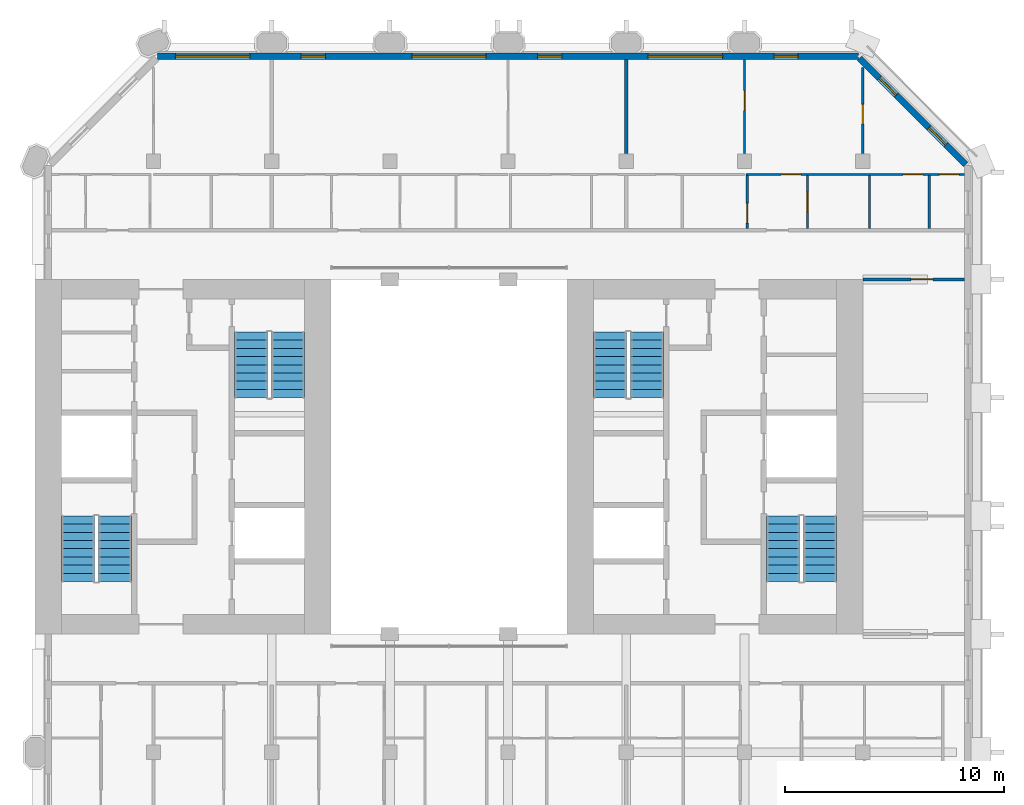
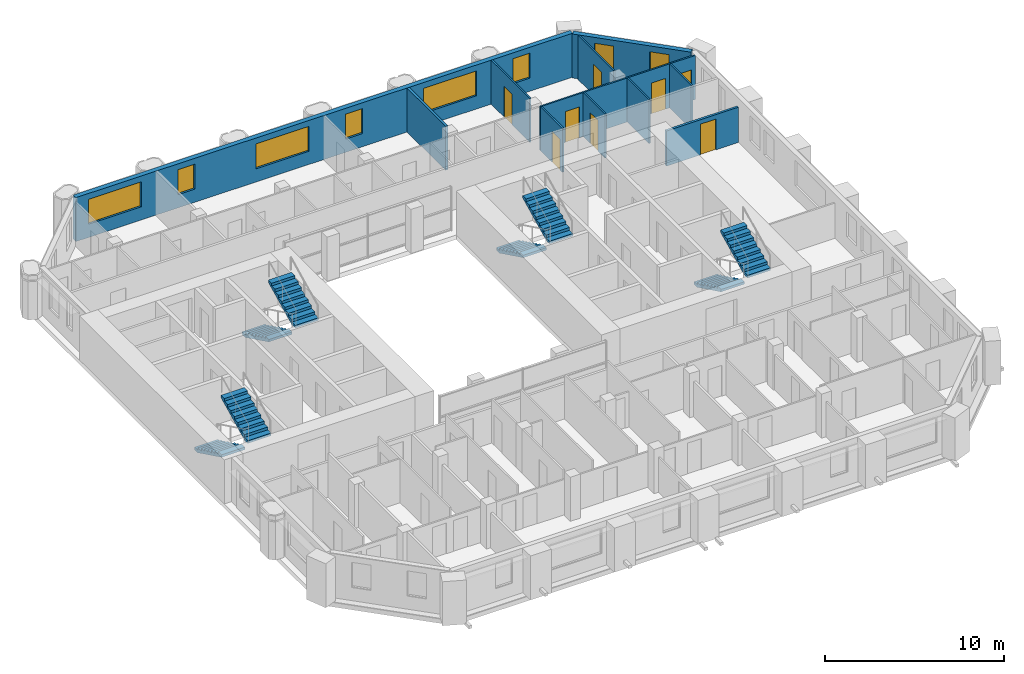
# One storey, part 11 of 14: 11 walls, 8 doors, 8 stair flights, 8 windows, 16 openings, 4 elements without a shape of their own.
"""IFC4 building model written with IfcOpenShell, lengths in metres."""

from ifc_helpers import new_model, si_unit, direction, frame, frame_2d, origin, place, context, subcontext, project, spatial, polyline, rectangle, outline, extrude, material, layer, layer_set, type_object, element, fill, aggregate, save


model = new_model("IFC4")

# Units and contexts
model_context = context("Model", 3, precision=1e-05, world=origin(), true_north=direction((0.0, 1.0)))
body_context = subcontext(model_context, "Body", "Model", "MODEL_VIEW")
ifc_project = project(units=[si_unit("LENGTHUNIT", "METRE"), si_unit("AREAUNIT", "SQUARE_METRE"), si_unit("VOLUMEUNIT", "CUBIC_METRE"), si_unit("PLANEANGLEUNIT", "RADIAN"), si_unit("MASSUNIT", "GRAM", prefix="KILO")], contexts=[model_context])

# Site, building, storey
site_placement = place(None, origin())
site = spatial("IfcSite", under=ifc_project, at=site_placement, CompositionType="ELEMENT")
building_placement = place(site_placement, origin())
building = spatial("IfcBuilding", under=site, at=building_placement, Name="Tabaq Tower and Sports Hall", CompositionType="ELEMENT")
storey_placement = place(building_placement, frame((0.0, 0.0, 281.800048828125)))
storey = spatial("IfcBuildingStorey", under=building, at=storey_placement, Name="L69", CompositionType="ELEMENT", Elevation=281.800048828125)

# Wall, opening, door
ifc_material_1 = material(Name="Gypsum board on steel studs", Category="steel")
ifc_layer_1 = layer(ifc_material_1, 0.10009765625)
ifc_layer_set_1 = layer_set([ifc_layer_1], Name="Partition 100 Gypsum board")
wall_type_1 = type_object("IfcWallType", Name="Partition 100 Gypsum board", PredefinedType="PARTITIONING", material=ifc_layer_set_1)
wall_1_placement = place(storey_placement, frame((37.800048828125, 38.14501953125, 0.0), z_axis=(0.0, 0.0, 1.0), x_axis=(0.0, 1.0, 0.0)))
wall_1 = element("IfcWall", 1, at=wall_1_placement, inside=storey, type_object=wall_type_1, Name="Partition wall L69", PredefinedType="PARTITIONING", context=body_context, shape_type="SweptSolid", body=[
    extrude(rectangle(XDim=4.303955078125, YDim=0.10009765625, at=frame_2d((2.15185546875, 0.0))), origin(), (0.0, 0.0, 1.0), 3.0),
])
opening_1_placement = place(wall_1_placement, frame((1.97998046875, 0.0, 0.0)))
opening_1 = element("IfcOpeningElement", 2, at=opening_1_placement, cuts=wall_1, Name="Opening L69-033", PredefinedType="OPENING", context=body_context, shape_type="SweptSolid", body=[
    extrude(rectangle(XDim=0.89990234375, YDim=2.10009765625, at=frame_2d((0.449951171875, 1.050048828125))), frame((0.0, 0.050048828125, 0.0), z_axis=(0.0, -1.0, 0.0), x_axis=(1.0, 0.0, 0.0)), (0.0, 0.0, 1.0), 0.10009765625),
])
ifc_material_2 = material(Name="Timber leaf in steel frame", Category="steel")
door_type_1 = type_object("IfcDoorType", Name="Internal door 900 right hand", OperationType="SINGLE_SWING_RIGHT", PredefinedType="DOOR", material=ifc_material_2)
door_1_placement = place(opening_1_placement, origin())
door_1 = element("IfcDoor", 3, at=door_1_placement, inside=storey, type_object=door_type_1, Name="Internal door L69-033", OperationType="SINGLE_SWING_RIGHT", OverallHeight=2.10009765625, OverallWidth=0.89990234375, PredefinedType="DOOR", context=body_context, shape_type="SweptSolid", body=[
    extrude(rectangle(XDim=0.89990234375, YDim=2.10009765625, at=frame_2d((0.449951171875, 1.050048828125))), frame((0.0, 0.02490234375, 0.0), z_axis=(0.0, -1.0, 0.0), x_axis=(1.0, 0.0, 0.0)), (0.0, 0.0, 1.0), 0.050048828125),
])
fill(opening_1, door_1)

wall_2_placement = place(storey_placement, frame((43.199951171875, 38.14501953125, 0.0), z_axis=(0.0, 0.0, 1.0), x_axis=(0.0, 1.0, 0.0)))
wall_2 = element("IfcWall", 4, at=wall_2_placement, inside=storey, type_object=wall_type_1, Name="Partition wall L69", PredefinedType="PARTITIONING", context=body_context, shape_type="SweptSolid", body=[
    extrude(rectangle(XDim=3.94287109375, YDim=0.10009765625, at=frame_2d((1.971435546875, 0.0))), origin(), (0.0, 0.0, 1.0), 3.0),
])
opening_2_placement = place(wall_2_placement, frame((1.35498046875, 0.0, 0.0)))
opening_2 = element("IfcOpeningElement", 5, at=opening_2_placement, cuts=wall_2, Name="Opening L69-049", PredefinedType="OPENING", context=body_context, shape_type="SweptSolid", body=[
    extrude(rectangle(XDim=0.89990234375, YDim=2.10009765625, at=frame_2d((0.449951171875, 1.050048828125))), frame((0.0, 0.050048828125, 0.0), z_axis=(0.0, -1.0, 0.0), x_axis=(1.0, 0.0, 0.0)), (0.0, 0.0, 1.0), 0.10009765625),
])
ifc_material_3 = material(Name="Timber leaf in steel frame", Category="steel")
door_type_2 = type_object("IfcDoorType", Name="Internal door 900 left hand", OperationType="SINGLE_SWING_LEFT", PredefinedType="DOOR", material=ifc_material_3)
door_2_placement = place(opening_2_placement, origin())
door_2 = element("IfcDoor", 6, at=door_2_placement, inside=storey, type_object=door_type_2, Name="Internal door L69-049", OperationType="SINGLE_SWING_LEFT", OverallHeight=2.10009765625, OverallWidth=0.89990234375, PredefinedType="DOOR", context=body_context, shape_type="SweptSolid", body=[
    extrude(rectangle(XDim=0.89990234375, YDim=2.10009765625, at=frame_2d((0.449951171875, 1.050048828125))), frame((0.0, 0.02490234375, 0.0), z_axis=(0.0, -1.0, 0.0), x_axis=(1.0, 0.0, 0.0)), (0.0, 0.0, 1.0), 0.050048828125),
])
fill(opening_2, door_2)

# Wall, openings, doors
wall_3_placement = place(storey_placement, frame((37.875, 37.199951171875, 0.0), z_axis=(0.0, 0.0, 1.0), x_axis=(1.0, 0.0, 0.0)))
wall_3 = element("IfcWall", 7, at=wall_3_placement, inside=storey, type_object=wall_type_1, Name="Partition wall L69", PredefinedType="PARTITIONING", context=body_context, shape_type="SweptSolid", body=[
    extrude(rectangle(XDim=9.97412109375, YDim=0.10009765625, at=frame_2d((4.987060546875, 0.0))), origin(), (0.0, 0.0, 1.0), 3.0),
])
opening_3_placement = place(wall_3_placement, frame((7.1650390625, 0.0, 0.0)))
opening_3 = element("IfcOpeningElement", 8, at=opening_3_placement, cuts=wall_3, Name="Opening L69-008", PredefinedType="OPENING", context=body_context, shape_type="SweptSolid", body=[
    extrude(rectangle(XDim=0.89990234375, YDim=2.10009765625, at=frame_2d((0.449951171875, 1.050048828125))), frame((0.0, 0.050048828125, 0.0), z_axis=(0.0, -1.0, 0.0), x_axis=(1.0, 0.0, 0.0)), (0.0, 0.0, 1.0), 0.10009765625),
])
opening_4_placement = place(wall_3_placement, frame((8.823974609375, 0.0, 0.0)))
opening_4 = element("IfcOpeningElement", 9, at=opening_4_placement, cuts=wall_3, Name="Opening L69-009", PredefinedType="OPENING", context=body_context, shape_type="SweptSolid", body=[
    extrude(rectangle(XDim=0.89990234375, YDim=2.10009765625, at=frame_2d((0.449951171875, 1.050048828125))), frame((0.0, 0.050048828125, 0.0), z_axis=(0.0, -1.0, 0.0), x_axis=(1.0, 0.0, 0.0)), (0.0, 0.0, 1.0), 0.10009765625),
])
opening_5_placement = place(wall_3_placement, frame((1.60009765625, 0.0, 0.0)))
opening_5 = element("IfcOpeningElement", 10, at=opening_5_placement, cuts=wall_3, Name="Opening L69-050", PredefinedType="OPENING", context=body_context, shape_type="SweptSolid", body=[
    extrude(rectangle(XDim=0.89990234375, YDim=2.10009765625, at=frame_2d((0.449951171875, 1.050048828125))), frame((0.0, 0.050048828125, 0.0), z_axis=(0.0, -1.0, 0.0), x_axis=(1.0, 0.0, 0.0)), (0.0, 0.0, 1.0), 0.10009765625),
])
door_3_placement = place(opening_4_placement, origin())
door_3 = element("IfcDoor", 11, at=door_3_placement, inside=storey, type_object=door_type_2, Name="Internal door L69-009", OperationType="SINGLE_SWING_LEFT", OverallHeight=2.10009765625, OverallWidth=0.89990234375, PredefinedType="DOOR", context=body_context, shape_type="SweptSolid", body=[
    extrude(rectangle(XDim=0.89990234375, YDim=2.10009765625, at=frame_2d((0.449951171875, 1.050048828125))), frame((0.0, 0.02490234375, 0.0), z_axis=(0.0, -1.0, 0.0), x_axis=(1.0, 0.0, 0.0)), (0.0, 0.0, 1.0), 0.050048828125),
])
fill(opening_4, door_3)
door_4_placement = place(opening_5_placement, origin())
door_4 = element("IfcDoor", 12, at=door_4_placement, inside=storey, type_object=door_type_2, Name="Internal door L69-050", OperationType="SINGLE_SWING_LEFT", OverallHeight=2.10009765625, OverallWidth=0.89990234375, PredefinedType="DOOR", context=body_context, shape_type="SweptSolid", body=[
    extrude(rectangle(XDim=0.89990234375, YDim=2.10009765625, at=frame_2d((0.449951171875, 1.050048828125))), frame((0.0, 0.02490234375, 0.0), z_axis=(0.0, -1.0, 0.0), x_axis=(1.0, 0.0, 0.0)), (0.0, 0.0, 1.0), 0.050048828125),
])
fill(opening_5, door_4)
door_5_placement = place(opening_3_placement, origin())
door_5 = element("IfcDoor", 13, at=door_5_placement, inside=storey, type_object=door_type_1, Name="Internal door L69-008", OperationType="SINGLE_SWING_RIGHT", OverallHeight=2.10009765625, OverallWidth=0.89990234375, PredefinedType="DOOR", context=body_context, shape_type="SweptSolid", body=[
    extrude(rectangle(XDim=0.89990234375, YDim=2.10009765625, at=frame_2d((0.449951171875, 1.050048828125))), frame((0.0, 0.02490234375, 0.0), z_axis=(0.0, -1.0, 0.0), x_axis=(1.0, 0.0, 0.0)), (0.0, 0.0, 1.0), 0.050048828125),
])
fill(opening_3, door_5)

# Wall, opening, door
wall_4_placement = place(storey_placement, frame((37.925048828125, 34.72509765625, 0.0), z_axis=(0.0, 0.0, 1.0), x_axis=(0.0, 1.0, 0.0)))
wall_4 = element("IfcWall", 14, at=wall_4_placement, inside=storey, type_object=wall_type_1, Name="Partition wall L69", PredefinedType="PARTITIONING", context=body_context, shape_type="SweptSolid", body=[
    extrude(rectangle(XDim=2.4248046875, YDim=0.10009765625, at=frame_2d((1.21240234375, 0.0))), origin(), (0.0, 0.0, 1.0), 3.0),
])
opening_6_placement = place(wall_4_placement, frame((0.25, 0.0, 0.0)))
opening_6 = element("IfcOpeningElement", 15, at=opening_6_placement, cuts=wall_4, Name="Opening L69-010", PredefinedType="OPENING", context=body_context, shape_type="SweptSolid", body=[
    extrude(rectangle(XDim=0.89990234375, YDim=2.10009765625, at=frame_2d((0.449951171875, 1.050048828125))), frame((0.0, 0.050048828125, 0.0), z_axis=(0.0, -1.0, 0.0), x_axis=(1.0, 0.0, 0.0)), (0.0, 0.0, 1.0), 0.10009765625),
])
door_6_placement = place(opening_6_placement, origin())
door_6 = element("IfcDoor", 16, at=door_6_placement, inside=storey, type_object=door_type_2, Name="Internal door L69-010", OperationType="SINGLE_SWING_LEFT", OverallHeight=2.10009765625, OverallWidth=0.89990234375, PredefinedType="DOOR", context=body_context, shape_type="SweptSolid", body=[
    extrude(rectangle(XDim=0.89990234375, YDim=2.10009765625, at=frame_2d((0.449951171875, 1.050048828125))), frame((0.0, 0.02490234375, 0.0), z_axis=(0.0, -1.0, 0.0), x_axis=(1.0, 0.0, 0.0)), (0.0, 0.0, 1.0), 0.050048828125),
])
fill(opening_6, door_6)

wall_5_placement = place(storey_placement, frame((40.675048828125, 34.72509765625, 0.0), z_axis=(0.0, 0.0, 1.0), x_axis=(0.0, 1.0, 0.0)))
wall_5 = element("IfcWall", 17, at=wall_5_placement, inside=storey, type_object=wall_type_1, Name="Partition wall L69", PredefinedType="PARTITIONING", context=body_context, shape_type="SweptSolid", body=[
    extrude(rectangle(XDim=2.4248046875, YDim=0.10009765625, at=frame_2d((1.21240234375, 0.0))), origin(), (0.0, 0.0, 1.0), 3.0),
])
opening_7_placement = place(wall_5_placement, frame((0.75, 0.0, 0.0)))
opening_7 = element("IfcOpeningElement", 18, at=opening_7_placement, cuts=wall_5, Name="Opening L69-011", PredefinedType="OPENING", context=body_context, shape_type="SweptSolid", body=[
    extrude(rectangle(XDim=0.89990234375, YDim=2.10009765625, at=frame_2d((0.449951171875, 1.050048828125))), frame((0.0, 0.050048828125, 0.0), z_axis=(0.0, -1.0, 0.0), x_axis=(1.0, 0.0, 0.0)), (0.0, 0.0, 1.0), 0.10009765625),
])
door_7_placement = place(opening_7_placement, origin())
door_7 = element("IfcDoor", 19, at=door_7_placement, inside=storey, type_object=door_type_1, Name="Internal door L69-011", OperationType="SINGLE_SWING_RIGHT", OverallHeight=2.10009765625, OverallWidth=0.89990234375, PredefinedType="DOOR", context=body_context, shape_type="SweptSolid", body=[
    extrude(rectangle(XDim=0.89990234375, YDim=2.10009765625, at=frame_2d((0.449951171875, 1.050048828125))), frame((0.0, 0.02490234375, 0.0), z_axis=(0.0, -1.0, 0.0), x_axis=(1.0, 0.0, 0.0)), (0.0, 0.0, 1.0), 0.050048828125),
])
fill(opening_7, door_7)

# Walls
for number, where, z_axis, x_axis, name in (
    (20, (43.5048828125, 34.72509765625, 0.0), (0.0, 0.0, 1.0), (0.0, 1.0, 0.0), "Partition wall L69"),
    (21, (46.239990234375, 34.72509765625, 0.0), (0.0, 0.0, 1.0), (0.0, 1.0, 0.0), "Partition wall L69"),
):
    element("IfcWall", number, at=place(storey_placement, frame(where, z_axis=z_axis, x_axis=x_axis)), inside=storey, type_object=wall_type_1, Name=name, PredefinedType="PARTITIONING", context=body_context, shape_type="SweptSolid", body=[
        extrude(rectangle(XDim=2.4248046875, YDim=0.10009765625, at=frame_2d((1.21240234375, 0.0))), origin(), (0.0, 0.0, 1.0), 3.0),
    ])
ifc_material_4 = material(Name="Blockwork", Category="masonry")
ifc_layer_2 = layer(ifc_material_4, 0.14990234375)
ifc_layer_set_2 = layer_set([ifc_layer_2], Name="Separating wall 150 Blockwork")
wall_type_2 = type_object("IfcWallType", Name="Separating wall 150 Blockwork", PredefinedType="PARTITIONING", material=ifc_layer_set_2)
wall_6_placement = place(storey_placement, frame((32.39990234375, 38.14501953125, 0.0), z_axis=(0.0, 0.0, 1.0), x_axis=(0.0, 1.0, 0.0)))
element("IfcWall", 22, at=wall_6_placement, inside=storey, type_object=wall_type_2, Name="Separating wall L69", PredefinedType="PARTITIONING", context=body_context, shape_type="SweptSolid", body=[
    extrude(rectangle(XDim=4.303955078125, YDim=0.14990234375, at=frame_2d((2.15185546875, 0.0))), origin(), (0.0, 0.0, 1.0), 3.0),
])

# Wall, opening, door
wall_7_placement = place(storey_placement, frame((47.84912109375, 32.39990234375, 0.0), z_axis=(0.0, 0.0, 1.0), x_axis=(-1.0, 0.0, 0.0)))
wall_7 = element("IfcWall", 23, at=wall_7_placement, inside=storey, type_object=wall_type_2, Name="Separating wall L69", PredefinedType="PARTITIONING", context=body_context, shape_type="SweptSolid", body=[
    extrude(rectangle(XDim=4.649169921875, YDim=0.14990234375, at=frame_2d((2.32470703125, 0.0))), origin(), (0.0, 0.0, 1.0), 2.39990234375),
])
opening_8_placement = place(wall_7_placement, frame((1.448974609375, 0.0, 0.0)))
opening_8 = element("IfcOpeningElement", 24, at=opening_8_placement, cuts=wall_7, Name="Opening L69-012", PredefinedType="OPENING", context=body_context, shape_type="SweptSolid", body=[
    extrude(rectangle(XDim=1.0, YDim=2.10009765625, at=frame_2d((0.5, 1.050048828125))), frame((0.0, 0.074951171875, 0.0), z_axis=(0.0, -1.0, 0.0), x_axis=(1.0, 0.0, 0.0)), (0.0, 0.0, 1.0), 0.14990234375),
])
ifc_material_5 = material(Name="Timber leaf in steel frame", Category="steel")
door_type_3 = type_object("IfcDoorType", Name="Internal door 1000 right hand", OperationType="SINGLE_SWING_RIGHT", PredefinedType="DOOR", material=ifc_material_5)
door_8_placement = place(opening_8_placement, origin())
door_8 = element("IfcDoor", 25, at=door_8_placement, inside=storey, type_object=door_type_3, Name="Internal door L69-012", OperationType="SINGLE_SWING_RIGHT", OverallHeight=2.10009765625, OverallWidth=1.0, PredefinedType="DOOR", context=body_context, shape_type="SweptSolid", body=[
    extrude(rectangle(XDim=1.0, YDim=2.10009765625, at=frame_2d((0.5, 1.050048828125))), frame((0.0, 0.02490234375, 0.0), z_axis=(0.0, -1.0, 0.0), x_axis=(1.0, 0.0, 0.0)), (0.0, 0.0, 1.0), 0.050048828125),
])
fill(opening_8, door_8)

# Wall, openings, windows
ifc_material_6 = material(Name="White precast concrete C60/75", Category="concrete")
ifc_layer_3 = layer(ifc_material_6, 0.300048828125)
ifc_layer_set_3 = layer_set([ifc_layer_3], Name="White precast concrete C60/75 external wall 300")
wall_type_3 = type_object("IfcWallType", Name="White precast concrete C60/75 external wall 300", PredefinedType="SOLIDWALL", material=ifc_layer_set_3)
wall_8_placement = place(storey_placement, frame((47.901123046875, 37.650390625, 0.0), z_axis=(0.0, 0.0, 1.0), x_axis=(-0.707106781187, 0.707106781187, 0.0)))
wall_8 = element("IfcWall", 26, at=wall_8_placement, inside=storey, type_object=wall_type_3, Name="External Wall L69 NE", PredefinedType="SOLIDWALL", context=body_context, shape_type="SweptSolid", body=[
    extrude(rectangle(XDim=6.85986328125, YDim=0.300048828125, at=frame_2d((3.429931640625, 0.0))), origin(), (0.0, 0.0, 1.0), 3.0),
])
opening_9_placement = place(wall_8_placement, frame((1.27978515625, 0.0, 0.89990234375)))
opening_9 = element("IfcOpeningElement", 27, at=opening_9_placement, cuts=wall_8, Name="Opening W1B", PredefinedType="OPENING", context=body_context, shape_type="SweptSolid", body=[
    extrude(rectangle(XDim=1.10009765625, YDim=1.699951171875, at=frame_2d((0.550048828125, 0.85009765625))), frame((0.0, 0.16015625, 0.0), z_axis=(0.0, -1.0, 0.0), x_axis=(1.0, 0.0, 0.0)), (0.0, 0.0, 1.0), 0.320068359375),
])
opening_10_placement = place(wall_8_placement, frame((4.479736328125, 0.0, 0.89990234375)))
opening_10 = element("IfcOpeningElement", 28, at=opening_10_placement, cuts=wall_8, Name="Opening W1B", PredefinedType="OPENING", context=body_context, shape_type="SweptSolid", body=[
    extrude(rectangle(XDim=1.10009765625, YDim=1.699951171875, at=frame_2d((0.550048828125, 0.85009765625))), frame((0.0, 0.16015625, 0.0), z_axis=(0.0, -1.0, 0.0), x_axis=(1.0, 0.0, 0.0)), (0.0, 0.0, 1.0), 0.320068359375),
])
ifc_material_7 = material(Name="Aluminium framed clear glazing", Category="aluminium")
window_type_1 = type_object("IfcWindowType", Name="Window W1B", PartitioningType="SINGLE_PANEL", PredefinedType="WINDOW", material=ifc_material_7)
window_1_placement = place(opening_9_placement, origin())
window_1 = element("IfcWindow", 29, at=window_1_placement, inside=storey, type_object=window_type_1, Name="Window W1B L69", OverallHeight=1.699951171875, OverallWidth=1.10009765625, PartitioningType="SINGLE_PANEL", PredefinedType="WINDOW", context=body_context, shape_type="SweptSolid", body=[
    extrude(rectangle(XDim=1.10009765625, YDim=1.699951171875, at=frame_2d((0.550048828125, 0.85009765625))), frame((0.0, 0.030029296875, 0.0), z_axis=(0.0, -1.0, 0.0), x_axis=(1.0, 0.0, 0.0)), (0.0, 0.0, 1.0), 0.06005859375),
])
fill(opening_9, window_1)
window_2_placement = place(opening_10_placement, origin())
window_2 = element("IfcWindow", 30, at=window_2_placement, inside=storey, type_object=window_type_1, Name="Window W1B L69", OverallHeight=1.699951171875, OverallWidth=1.10009765625, PartitioningType="SINGLE_PANEL", PredefinedType="WINDOW", context=body_context, shape_type="SweptSolid", body=[
    extrude(rectangle(XDim=1.10009765625, YDim=1.699951171875, at=frame_2d((0.550048828125, 0.85009765625))), frame((0.0, 0.030029296875, 0.0), z_axis=(0.0, -1.0, 0.0), x_axis=(1.0, 0.0, 0.0)), (0.0, 0.0, 1.0), 0.06005859375),
])
fill(opening_10, window_2)

wall_9_placement = place(storey_placement, frame((43.013671875, 42.60009765625, 0.0), z_axis=(0.0, 0.0, 1.0), x_axis=(-1.0, 0.0, 0.0)))
wall_9 = element("IfcWall", 31, at=wall_9_placement, inside=storey, type_object=wall_type_3, Name="External Wall L69 N", PredefinedType="SOLIDWALL", context=body_context, shape_type="SweptSolid", body=[
    extrude(rectangle(XDim=32.02734375, YDim=0.300048828125, at=frame_2d((16.013671875, 0.0))), origin(), (0.0, 0.0, 1.0), 3.0),
])
opening_11_placement = place(wall_9_placement, frame((2.763671875, 0.0, 0.89990234375)))
opening_11 = element("IfcOpeningElement", 32, at=opening_11_placement, cuts=wall_9, Name="Opening W1B", PredefinedType="OPENING", context=body_context, shape_type="SweptSolid", body=[
    extrude(rectangle(XDim=1.10009765625, YDim=1.699951171875, at=frame_2d((0.550048828125, 0.85009765625))), frame((0.0, 0.16015625, 0.0), z_axis=(0.0, -1.0, 0.0), x_axis=(1.0, 0.0, 0.0)), (0.0, 0.0, 1.0), 0.320068359375),
])
opening_12_placement = place(wall_9_placement, frame((6.213623046875, 0.0, 0.89990234375)))
opening_12 = element("IfcOpeningElement", 33, at=opening_12_placement, cuts=wall_9, Name="Opening W1A", PredefinedType="OPENING", context=body_context, shape_type="SweptSolid", body=[
    extrude(rectangle(XDim=3.39990234375, YDim=1.699951171875, at=frame_2d((1.699951171875, 0.85009765625))), frame((0.0, 0.16015625, 0.0), z_axis=(0.0, -1.0, 0.0), x_axis=(1.0, 0.0, 0.0)), (0.0, 0.0, 1.0), 0.320068359375),
])
opening_13_placement = place(wall_9_placement, frame((13.563720703125, 0.0, 0.89990234375)))
opening_13 = element("IfcOpeningElement", 34, at=opening_13_placement, cuts=wall_9, Name="Opening W1B", PredefinedType="OPENING", context=body_context, shape_type="SweptSolid", body=[
    extrude(rectangle(XDim=1.10009765625, YDim=1.699951171875, at=frame_2d((0.550048828125, 0.85009765625))), frame((0.0, 0.16015625, 0.0), z_axis=(0.0, -1.0, 0.0), x_axis=(1.0, 0.0, 0.0)), (0.0, 0.0, 1.0), 0.320068359375),
])
opening_14_placement = place(wall_9_placement, frame((17.013671875, 0.0, 0.89990234375)))
opening_14 = element("IfcOpeningElement", 35, at=opening_14_placement, cuts=wall_9, Name="Opening W1A", PredefinedType="OPENING", context=body_context, shape_type="SweptSolid", body=[
    extrude(rectangle(XDim=3.39990234375, YDim=1.699951171875, at=frame_2d((1.699951171875, 0.85009765625))), frame((0.0, 0.16015625, 0.0), z_axis=(0.0, -1.0, 0.0), x_axis=(1.0, 0.0, 0.0)), (0.0, 0.0, 1.0), 0.320068359375),
])
opening_15_placement = place(wall_9_placement, frame((24.363525390625, 0.0, 0.89990234375)))
opening_15 = element("IfcOpeningElement", 36, at=opening_15_placement, cuts=wall_9, Name="Opening W1B", PredefinedType="OPENING", context=body_context, shape_type="SweptSolid", body=[
    extrude(rectangle(XDim=1.10009765625, YDim=1.699951171875, at=frame_2d((0.550048828125, 0.85009765625))), frame((0.0, 0.16015625, 0.0), z_axis=(0.0, -1.0, 0.0), x_axis=(1.0, 0.0, 0.0)), (0.0, 0.0, 1.0), 0.320068359375),
])
opening_16_placement = place(wall_9_placement, frame((27.813720703125, 0.0, 0.89990234375)))
opening_16 = element("IfcOpeningElement", 37, at=opening_16_placement, cuts=wall_9, Name="Opening W1A", PredefinedType="OPENING", context=body_context, shape_type="SweptSolid", body=[
    extrude(rectangle(XDim=3.39990234375, YDim=1.699951171875, at=frame_2d((1.699951171875, 0.85009765625))), frame((0.0, 0.16015625, 0.0), z_axis=(0.0, -1.0, 0.0), x_axis=(1.0, 0.0, 0.0)), (0.0, 0.0, 1.0), 0.320068359375),
])
ifc_material_8 = material(Name="Aluminium framed clear glazing", Category="aluminium")
window_type_2 = type_object("IfcWindowType", Name="Window W1A", PartitioningType="SINGLE_PANEL", PredefinedType="WINDOW", material=ifc_material_8)
window_3_placement = place(opening_12_placement, origin())
window_3 = element("IfcWindow", 38, at=window_3_placement, inside=storey, type_object=window_type_2, Name="Window W1A L69", OverallHeight=1.699951171875, OverallWidth=3.39990234375, PartitioningType="SINGLE_PANEL", PredefinedType="WINDOW", context=body_context, shape_type="SweptSolid", body=[
    extrude(rectangle(XDim=3.39990234375, YDim=1.699951171875, at=frame_2d((1.699951171875, 0.85009765625))), frame((0.0, 0.030029296875, 0.0), z_axis=(0.0, -1.0, 0.0), x_axis=(1.0, 0.0, 0.0)), (0.0, 0.0, 1.0), 0.06005859375),
])
fill(opening_12, window_3)
window_4_placement = place(opening_14_placement, origin())
window_4 = element("IfcWindow", 39, at=window_4_placement, inside=storey, type_object=window_type_2, Name="Window W1A L69", OverallHeight=1.699951171875, OverallWidth=3.39990234375, PartitioningType="SINGLE_PANEL", PredefinedType="WINDOW", context=body_context, shape_type="SweptSolid", body=[
    extrude(rectangle(XDim=3.39990234375, YDim=1.699951171875, at=frame_2d((1.699951171875, 0.85009765625))), frame((0.0, 0.030029296875, 0.0), z_axis=(0.0, -1.0, 0.0), x_axis=(1.0, 0.0, 0.0)), (0.0, 0.0, 1.0), 0.06005859375),
])
fill(opening_14, window_4)
window_5_placement = place(opening_16_placement, origin())
window_5 = element("IfcWindow", 40, at=window_5_placement, inside=storey, type_object=window_type_2, Name="Window W1A L69", OverallHeight=1.699951171875, OverallWidth=3.39990234375, PartitioningType="SINGLE_PANEL", PredefinedType="WINDOW", context=body_context, shape_type="SweptSolid", body=[
    extrude(rectangle(XDim=3.39990234375, YDim=1.699951171875, at=frame_2d((1.699951171875, 0.85009765625))), frame((0.0, 0.030029296875, 0.0), z_axis=(0.0, -1.0, 0.0), x_axis=(1.0, 0.0, 0.0)), (0.0, 0.0, 1.0), 0.06005859375),
])
fill(opening_16, window_5)
window_6_placement = place(opening_11_placement, origin())
window_6 = element("IfcWindow", 41, at=window_6_placement, inside=storey, type_object=window_type_1, Name="Window W1B L69", OverallHeight=1.699951171875, OverallWidth=1.10009765625, PartitioningType="SINGLE_PANEL", PredefinedType="WINDOW", context=body_context, shape_type="SweptSolid", body=[
    extrude(rectangle(XDim=1.10009765625, YDim=1.699951171875, at=frame_2d((0.550048828125, 0.85009765625))), frame((0.0, 0.030029296875, 0.0), z_axis=(0.0, -1.0, 0.0), x_axis=(1.0, 0.0, 0.0)), (0.0, 0.0, 1.0), 0.06005859375),
])
fill(opening_11, window_6)
window_7_placement = place(opening_13_placement, origin())
window_7 = element("IfcWindow", 42, at=window_7_placement, inside=storey, type_object=window_type_1, Name="Window W1B L69", OverallHeight=1.699951171875, OverallWidth=1.10009765625, PartitioningType="SINGLE_PANEL", PredefinedType="WINDOW", context=body_context, shape_type="SweptSolid", body=[
    extrude(rectangle(XDim=1.10009765625, YDim=1.699951171875, at=frame_2d((0.550048828125, 0.85009765625))), frame((0.0, 0.030029296875, 0.0), z_axis=(0.0, -1.0, 0.0), x_axis=(1.0, 0.0, 0.0)), (0.0, 0.0, 1.0), 0.06005859375),
])
fill(opening_13, window_7)
window_8_placement = place(opening_15_placement, origin())
window_8 = element("IfcWindow", 43, at=window_8_placement, inside=storey, type_object=window_type_1, Name="Window W1B L69", OverallHeight=1.699951171875, OverallWidth=1.10009765625, PartitioningType="SINGLE_PANEL", PredefinedType="WINDOW", context=body_context, shape_type="SweptSolid", body=[
    extrude(rectangle(XDim=1.10009765625, YDim=1.699951171875, at=frame_2d((0.550048828125, 0.85009765625))), frame((0.0, 0.030029296875, 0.0), z_axis=(0.0, -1.0, 0.0), x_axis=(1.0, 0.0, 0.0)), (0.0, 0.0, 1.0), 0.06005859375),
])
fill(opening_15, window_8)

# Stair, stair flights
ifc_material_9 = material(Name="Concrete C40/50", Category="concrete")
stair_type = type_object("IfcStairType", Name="Exit stair", PredefinedType="HALF_TURN_STAIR", material=ifc_material_9)
stair_1_placement = place(storey_placement, origin())
stair_1 = element("IfcStair", 44, at=stair_1_placement, inside=storey, type_object=stair_type, Name="L69 Exit stair ST1", PredefinedType="HALF_TURN_STAIR")
ifc_material_10 = material(Name="Concrete C40/50", Category="concrete")
stair_flight_type = type_object("IfcStairFlightType", Name="Exit stair flight", PredefinedType="STRAIGHT", material=ifc_material_10)
stair_flight_1_placement = place(storey_placement, frame((7.35009765625, 21.60009765625, 0.0), z_axis=(0.0, 0.0, 1.0), x_axis=(0.0, -1.0, 0.0)))
stair_flight_1 = element("IfcStairFlight", 45, at=stair_flight_1_placement, type_object=stair_flight_type, Name="ST1 flight 1", NumberOfRisers=9, NumberOfTreads=8, PredefinedType="STRAIGHT", RiserHeight=0.183333333, TreadLength=0.375, context=body_context, shape_type="SweptSolid", body=[
    extrude(outline(polyline([(0.0, 0.0), (0.0, 0.183349609375), (0.375, 0.183349609375), (0.375, 0.36669921875), (0.75, 0.36669921875), (0.75, 0.550048828125), (1.125, 0.550048828125), (1.125, 0.7333984375), (1.5, 0.7333984375), (1.5, 0.916748046875), (1.875, 0.916748046875), (1.875, 1.10009765625), (2.25, 1.10009765625), (2.25, 1.283447265625), (2.625, 1.283447265625), (2.625, 1.466552734375), (3.0, 1.466552734375), (3.0, 1.64990234375), (3.0, 1.2998046875), (0.34130859375, 0.0), (0.0, 0.0)])), frame((0.0, 0.75, 0.0), z_axis=(0.0, -1.0, 0.0), x_axis=(1.0, 0.0, 0.0)), (0.0, 0.0, 1.0), 1.5),
])
stair_flight_2_placement = place(storey_placement, frame((9.050048828125, 18.60009765625, 1.64990234375), z_axis=(0.0, 0.0, 1.0), x_axis=(0.0, 1.0, 0.0)))
stair_flight_2 = element("IfcStairFlight", 46, at=stair_flight_2_placement, type_object=stair_flight_type, Name="ST1 flight 2", NumberOfRisers=9, NumberOfTreads=8, PredefinedType="STRAIGHT", RiserHeight=0.183333333, TreadLength=0.375, context=body_context, shape_type="SweptSolid", body=[
    extrude(outline(polyline([(0.0, 0.0), (0.0, 0.183349609375), (0.375, 0.183349609375), (0.375, 0.36669921875), (0.75, 0.36669921875), (0.75, 0.550048828125), (1.125, 0.550048828125), (1.125, 0.7333984375), (1.5, 0.7333984375), (1.5, 0.916748046875), (1.875, 0.916748046875), (1.875, 1.10009765625), (2.25, 1.10009765625), (2.25, 1.283447265625), (2.625, 1.283447265625), (2.625, 1.466552734375), (3.0, 1.466552734375), (3.0, 1.64990234375), (3.0, 1.2998046875), (0.34130859375, 0.0), (0.0, 0.0)])), frame((0.0, 0.75, 0.0), z_axis=(0.0, -1.0, 0.0), x_axis=(1.0, 0.0, 0.0)), (0.0, 0.0, 1.0), 1.5),
])
aggregate(stair_1, [stair_flight_1, stair_flight_2])

stair_2_placement = place(storey_placement, origin())
stair_2 = element("IfcStair", 47, at=stair_2_placement, inside=storey, type_object=stair_type, Name="L69 Exit stair ST2", PredefinedType="HALF_TURN_STAIR")
stair_flight_3_placement = place(storey_placement, frame((15.25, 30.0, 0.0), z_axis=(0.0, 0.0, 1.0), x_axis=(0.0, -1.0, 0.0)))
stair_flight_3 = element("IfcStairFlight", 48, at=stair_flight_3_placement, type_object=stair_flight_type, Name="ST2 flight 1", NumberOfRisers=9, NumberOfTreads=8, PredefinedType="STRAIGHT", RiserHeight=0.183333333, TreadLength=0.375, context=body_context, shape_type="SweptSolid", body=[
    extrude(outline(polyline([(0.0, 0.0), (0.0, 0.183349609375), (0.375, 0.183349609375), (0.375, 0.36669921875), (0.75, 0.36669921875), (0.75, 0.550048828125), (1.125, 0.550048828125), (1.125, 0.7333984375), (1.5, 0.7333984375), (1.5, 0.916748046875), (1.875, 0.916748046875), (1.875, 1.10009765625), (2.25, 1.10009765625), (2.25, 1.283447265625), (2.625, 1.283447265625), (2.625, 1.466552734375), (3.0, 1.466552734375), (3.0, 1.64990234375), (3.0, 1.2998046875), (0.34130859375, 0.0), (0.0, 0.0)])), frame((0.0, 0.75, 0.0), z_axis=(0.0, -1.0, 0.0), x_axis=(1.0, 0.0, 0.0)), (0.0, 0.0, 1.0), 1.5),
])
stair_flight_4_placement = place(storey_placement, frame((16.949951171875, 27.0, 1.64990234375), z_axis=(0.0, 0.0, 1.0), x_axis=(0.0, 1.0, 0.0)))
stair_flight_4 = element("IfcStairFlight", 49, at=stair_flight_4_placement, type_object=stair_flight_type, Name="ST2 flight 2", NumberOfRisers=9, NumberOfTreads=8, PredefinedType="STRAIGHT", RiserHeight=0.183333333, TreadLength=0.375, context=body_context, shape_type="SweptSolid", body=[
    extrude(outline(polyline([(0.0, 0.0), (0.0, 0.183349609375), (0.375, 0.183349609375), (0.375, 0.36669921875), (0.75, 0.36669921875), (0.75, 0.550048828125), (1.125, 0.550048828125), (1.125, 0.7333984375), (1.5, 0.7333984375), (1.5, 0.916748046875), (1.875, 0.916748046875), (1.875, 1.10009765625), (2.25, 1.10009765625), (2.25, 1.283447265625), (2.625, 1.283447265625), (2.625, 1.466552734375), (3.0, 1.466552734375), (3.0, 1.64990234375), (3.0, 1.2998046875), (0.34130859375, 0.0), (0.0, 0.0)])), frame((0.0, 0.75, 0.0), z_axis=(0.0, -1.0, 0.0), x_axis=(1.0, 0.0, 0.0)), (0.0, 0.0, 1.0), 1.5),
])
aggregate(stair_2, [stair_flight_3, stair_flight_4])

stair_3_placement = place(storey_placement, origin())
stair_3 = element("IfcStair", 50, at=stair_3_placement, inside=storey, type_object=stair_type, Name="L69 Exit stair ST3", PredefinedType="HALF_TURN_STAIR")
stair_flight_5_placement = place(storey_placement, frame((39.550048828125, 21.60009765625, 0.0), z_axis=(0.0, 0.0, 1.0), x_axis=(0.0, -1.0, 0.0)))
stair_flight_5 = element("IfcStairFlight", 51, at=stair_flight_5_placement, type_object=stair_flight_type, Name="ST3 flight 1", NumberOfRisers=9, NumberOfTreads=8, PredefinedType="STRAIGHT", RiserHeight=0.183333333, TreadLength=0.375, context=body_context, shape_type="SweptSolid", body=[
    extrude(outline(polyline([(0.0, 0.0), (0.0, 0.183349609375), (0.375, 0.183349609375), (0.375, 0.36669921875), (0.75, 0.36669921875), (0.75, 0.550048828125), (1.125, 0.550048828125), (1.125, 0.7333984375), (1.5, 0.7333984375), (1.5, 0.916748046875), (1.875, 0.916748046875), (1.875, 1.10009765625), (2.25, 1.10009765625), (2.25, 1.283447265625), (2.625, 1.283447265625), (2.625, 1.466552734375), (3.0, 1.466552734375), (3.0, 1.64990234375), (3.0, 1.2998046875), (0.34130859375, 0.0), (0.0, 0.0)])), frame((0.0, 0.75, 0.0), z_axis=(0.0, -1.0, 0.0), x_axis=(1.0, 0.0, 0.0)), (0.0, 0.0, 1.0), 1.5),
])
stair_flight_6_placement = place(storey_placement, frame((41.25, 18.60009765625, 1.64990234375), z_axis=(0.0, 0.0, 1.0), x_axis=(0.0, 1.0, 0.0)))
stair_flight_6 = element("IfcStairFlight", 52, at=stair_flight_6_placement, type_object=stair_flight_type, Name="ST3 flight 2", NumberOfRisers=9, NumberOfTreads=8, PredefinedType="STRAIGHT", RiserHeight=0.183333333, TreadLength=0.375, context=body_context, shape_type="SweptSolid", body=[
    extrude(outline(polyline([(0.0, 0.0), (0.0, 0.183349609375), (0.375, 0.183349609375), (0.375, 0.36669921875), (0.75, 0.36669921875), (0.75, 0.550048828125), (1.125, 0.550048828125), (1.125, 0.7333984375), (1.5, 0.7333984375), (1.5, 0.916748046875), (1.875, 0.916748046875), (1.875, 1.10009765625), (2.25, 1.10009765625), (2.25, 1.283447265625), (2.625, 1.283447265625), (2.625, 1.466552734375), (3.0, 1.466552734375), (3.0, 1.64990234375), (3.0, 1.2998046875), (0.34130859375, 0.0), (0.0, 0.0)])), frame((0.0, 0.75, 0.0), z_axis=(0.0, -1.0, 0.0), x_axis=(1.0, 0.0, 0.0)), (0.0, 0.0, 1.0), 1.5),
])
aggregate(stair_3, [stair_flight_5, stair_flight_6])

stair_4_placement = place(storey_placement, origin())
stair_4 = element("IfcStair", 53, at=stair_4_placement, inside=storey, type_object=stair_type, Name="L69 Exit stair ST4", PredefinedType="HALF_TURN_STAIR")
stair_flight_7_placement = place(storey_placement, frame((31.64990234375, 30.0, 0.0), z_axis=(0.0, 0.0, 1.0), x_axis=(0.0, -1.0, 0.0)))
stair_flight_7 = element("IfcStairFlight", 54, at=stair_flight_7_placement, type_object=stair_flight_type, Name="ST4 flight 1", NumberOfRisers=9, NumberOfTreads=8, PredefinedType="STRAIGHT", RiserHeight=0.183333333, TreadLength=0.375, context=body_context, shape_type="SweptSolid", body=[
    extrude(outline(polyline([(0.0, 0.0), (0.0, 0.183349609375), (0.375, 0.183349609375), (0.375, 0.36669921875), (0.75, 0.36669921875), (0.75, 0.550048828125), (1.125, 0.550048828125), (1.125, 0.7333984375), (1.5, 0.7333984375), (1.5, 0.916748046875), (1.875, 0.916748046875), (1.875, 1.10009765625), (2.25, 1.10009765625), (2.25, 1.283447265625), (2.625, 1.283447265625), (2.625, 1.466552734375), (3.0, 1.466552734375), (3.0, 1.64990234375), (3.0, 1.2998046875), (0.34130859375, 0.0), (0.0, 0.0)])), frame((0.0, 0.75, 0.0), z_axis=(0.0, -1.0, 0.0), x_axis=(1.0, 0.0, 0.0)), (0.0, 0.0, 1.0), 1.5),
])
stair_flight_8_placement = place(storey_placement, frame((33.35009765625, 27.0, 1.64990234375), z_axis=(0.0, 0.0, 1.0), x_axis=(0.0, 1.0, 0.0)))
stair_flight_8 = element("IfcStairFlight", 55, at=stair_flight_8_placement, type_object=stair_flight_type, Name="ST4 flight 2", NumberOfRisers=9, NumberOfTreads=8, PredefinedType="STRAIGHT", RiserHeight=0.183333333, TreadLength=0.375, context=body_context, shape_type="SweptSolid", body=[
    extrude(outline(polyline([(0.0, 0.0), (0.0, 0.183349609375), (0.375, 0.183349609375), (0.375, 0.36669921875), (0.75, 0.36669921875), (0.75, 0.550048828125), (1.125, 0.550048828125), (1.125, 0.7333984375), (1.5, 0.7333984375), (1.5, 0.916748046875), (1.875, 0.916748046875), (1.875, 1.10009765625), (2.25, 1.10009765625), (2.25, 1.283447265625), (2.625, 1.283447265625), (2.625, 1.466552734375), (3.0, 1.466552734375), (3.0, 1.64990234375), (3.0, 1.2998046875), (0.34130859375, 0.0), (0.0, 0.0)])), frame((0.0, 0.75, 0.0), z_axis=(0.0, -1.0, 0.0), x_axis=(1.0, 0.0, 0.0)), (0.0, 0.0, 1.0), 1.5),
])
aggregate(stair_4, [stair_flight_7, stair_flight_8])

save(model, "model.ifc")
